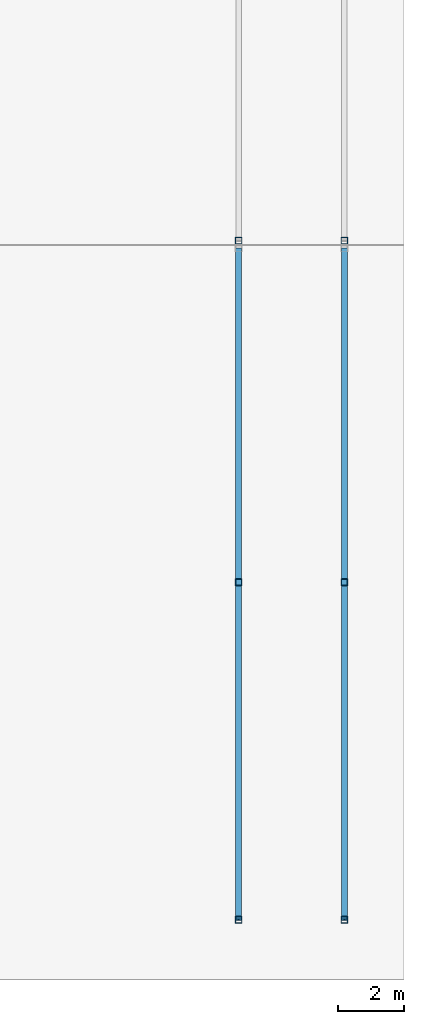
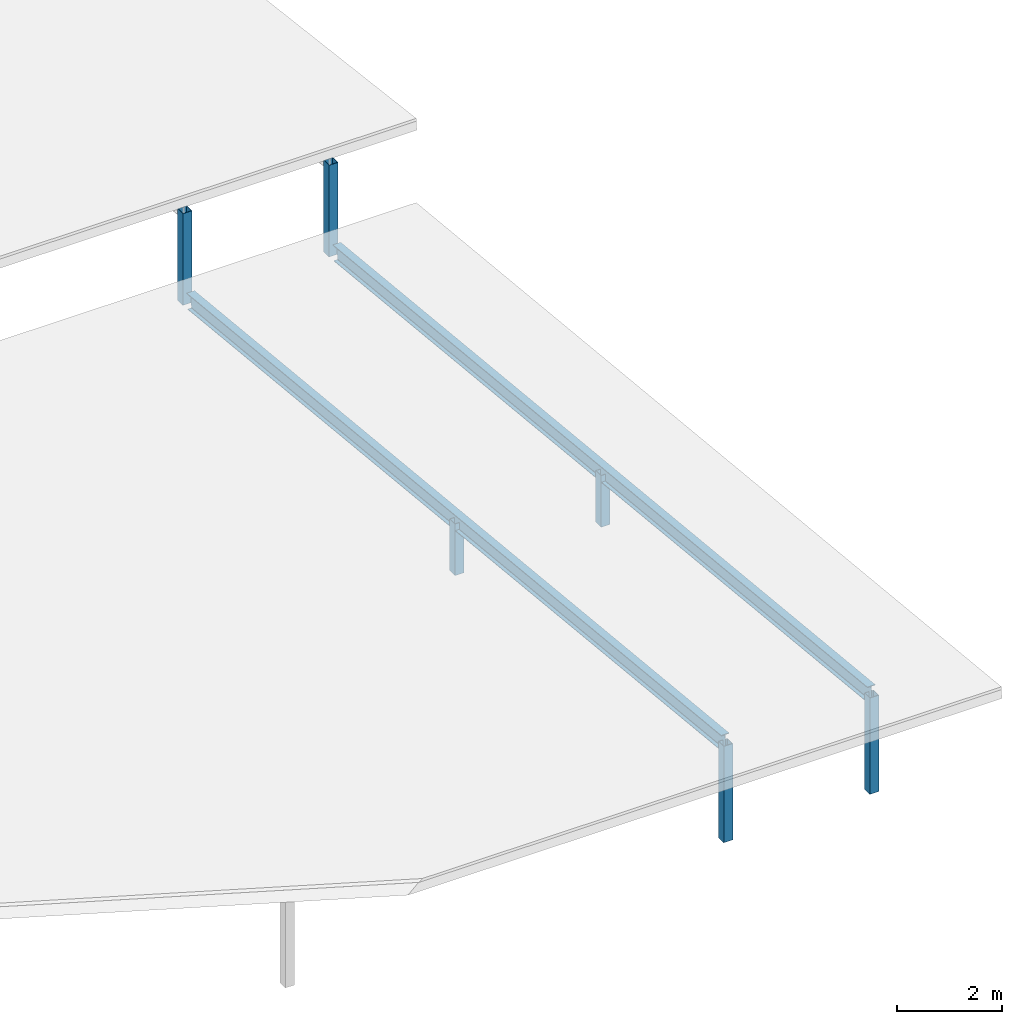
# One storey, part 5 of 11: 8 members.
"""IFC4 building model written with IfcOpenShell, lengths in metres."""

from ifc_helpers import new_model, si_unit, direction, frame, origin, origin_2d, place, context, subcontext, project, spatial, hollow_rectangle, i_section, extrude, material, material_profile, profile_set, type_object, element, save


model = new_model("IFC4")

# Units and contexts
model_context = context("Model", 3, precision=1e-05, world=origin(), true_north=direction((0.0, 1.0)))
body_context = subcontext(model_context, "Body", "Model", "MODEL_VIEW")
ifc_project = project(units=[si_unit("LENGTHUNIT", "METRE"), si_unit("AREAUNIT", "SQUARE_METRE"), si_unit("VOLUMEUNIT", "CUBIC_METRE"), si_unit("PLANEANGLEUNIT", "RADIAN"), si_unit("MASSUNIT", "GRAM", prefix="KILO")], contexts=[model_context])

# Site, building, storey
site_placement = place(None, origin())
site = spatial("IfcSite", under=ifc_project, at=site_placement, CompositionType="ELEMENT")
building_placement = place(site_placement, origin())
building = spatial("IfcBuilding", under=site, at=building_placement, Name="Vondelvale Polytechnic", CompositionType="ELEMENT")
storey_placement = place(building_placement, frame((0.0, 0.0, 34.800048828125)))
storey = spatial("IfcBuildingStorey", under=building, at=storey_placement, Name="Roof", CompositionType="ELEMENT", Elevation=34.800048828125)

# Members
ifc_material_1 = material(Name="Steel 300PLUS (fy = 300 MPa)", Category="steel")
ifc_material_profile_1 = material_profile(ifc_material_1, i_section(OverallWidth=0.172119140625, OverallDepth=0.35888671875, WebThickness=0.008056640625, FlangeThickness=0.012939453125, FilletRadius=0.011474609375, at=origin_2d()), Name="360UB56.7")
ifc_profile_set_1 = profile_set([ifc_material_profile_1], Name="Steel 300PLUS (fy = 300 MPa)")
member_type_1 = type_object("IfcMemberType", Name="RAFTER UB360", PredefinedType="RAFTER", material=ifc_profile_set_1)
for number, where, z_axis, x_axis, name in (
    (1, (38.39990234375, 0.0, 2.231201171875), (0.0, 0.994903127753, -0.100835342947), (-1.0, 0.0, 0.0), "Corner wing roof rafter 1"),
    (2, (41.60009765625, 0.0, 2.231201171875), (0.0, 0.994903127753, -0.100835342947), (-1.0, 0.0, 0.0), "Corner wing roof rafter 1"),
):
    element("IfcMember", number, at=place(storey_placement, frame(where, z_axis=z_axis, x_axis=x_axis)), inside=storey, type_object=member_type_1, Name=name, PredefinedType="RAFTER", context=body_context, shape_type="SweptSolid", body=[
        extrude(i_section(OverallWidth=0.172119140625, OverallDepth=0.35888671875, WebThickness=0.008056640625, FlangeThickness=0.012939453125, FilletRadius=0.011474609375, at=origin_2d()), origin(), (0.0, 0.0, 1.0), 20.384033203125),
    ])
ifc_material_2 = material(Name="Steel C350L0 (fy = 350 MPa)", Category="steel")
ifc_material_profile_2 = material_profile(ifc_material_2, hollow_rectangle(XDim=0.199951171875, YDim=0.199951171875, WallThickness=0.009033203125, at=origin_2d()), Name="200x200x9.0SHS")
ifc_profile_set_2 = profile_set([ifc_material_profile_2], Name="Steel C350L0 (fy = 350 MPa)")
member_type_2 = type_object("IfcMemberType", Name="ROOF TRUSS POST 200SHS", PredefinedType="POST", material=ifc_profile_set_2)
member_1_placement = place(storey_placement, frame((38.39990234375, 0.0, 0.0), z_axis=(0.0, 0.0, 1.0), x_axis=(1.0, 0.0, 0.0)))
element("IfcMember", 3, at=member_1_placement, inside=storey, type_object=member_type_2, Name="Corner wing roof post 1", PredefinedType="POST", context=body_context, shape_type="SweptSolid", body=[
    extrude(hollow_rectangle(XDim=0.199951171875, YDim=0.199951171875, WallThickness=0.009033203125, at=origin_2d()), origin(), (0.0, 0.0, 1.0), 2.231201171875),
])
member_2_placement = place(storey_placement, frame((38.39990234375, 10.199951171875, 0.0), z_axis=(0.0, 0.0, 1.0), x_axis=(1.0, 0.0, 0.0)))
element("IfcMember", 4, at=member_2_placement, inside=storey, type_object=member_type_2, Name="Corner wing roof post 1", PredefinedType="POST", context=body_context, shape_type="SweptSolid", body=[
    extrude(hollow_rectangle(XDim=0.199951171875, YDim=0.199951171875, WallThickness=0.009033203125, at=origin_2d()), origin(), (0.0, 0.0, 1.0), 1.197265625),
])
member_3_placement = place(storey_placement, frame((41.60009765625, 0.0, 0.0), z_axis=(0.0, 0.0, 1.0), x_axis=(1.0, 0.0, 0.0)))
element("IfcMember", 5, at=member_3_placement, inside=storey, type_object=member_type_2, Name="Corner wing roof post 1", PredefinedType="POST", context=body_context, shape_type="SweptSolid", body=[
    extrude(hollow_rectangle(XDim=0.199951171875, YDim=0.199951171875, WallThickness=0.009033203125, at=origin_2d()), origin(), (0.0, 0.0, 1.0), 2.231201171875),
])
member_4_placement = place(storey_placement, frame((41.60009765625, 10.199951171875, 0.0), z_axis=(0.0, 0.0, 1.0), x_axis=(1.0, 0.0, 0.0)))
element("IfcMember", 6, at=member_4_placement, inside=storey, type_object=member_type_2, Name="Corner wing roof post 1", PredefinedType="POST", context=body_context, shape_type="SweptSolid", body=[
    extrude(hollow_rectangle(XDim=0.199951171875, YDim=0.199951171875, WallThickness=0.009033203125, at=origin_2d()), origin(), (0.0, 0.0, 1.0), 1.197265625),
])
for number, where, z_axis, x_axis, name in (
    (7, (38.39990234375, 20.52001953125, 0.0), (0.0, 0.0, 1.0), (1.0, 0.0, 0.0), "Corner wing roof post 2"),
    (8, (41.60009765625, 20.52001953125, 0.0), (0.0, 0.0, 1.0), (1.0, 0.0, 0.0), "Corner wing roof post 2"),
):
    element("IfcMember", number, at=place(storey_placement, frame(where, z_axis=z_axis, x_axis=x_axis)), inside=storey, type_object=member_type_2, Name=name, PredefinedType="POST", context=body_context, shape_type="SweptSolid", body=[
        extrude(hollow_rectangle(XDim=0.199951171875, YDim=0.199951171875, WallThickness=0.009033203125, at=origin_2d()), origin(), (0.0, 0.0, 1.0), 2.1240234375),
    ])

save(model, "model.ifc")
